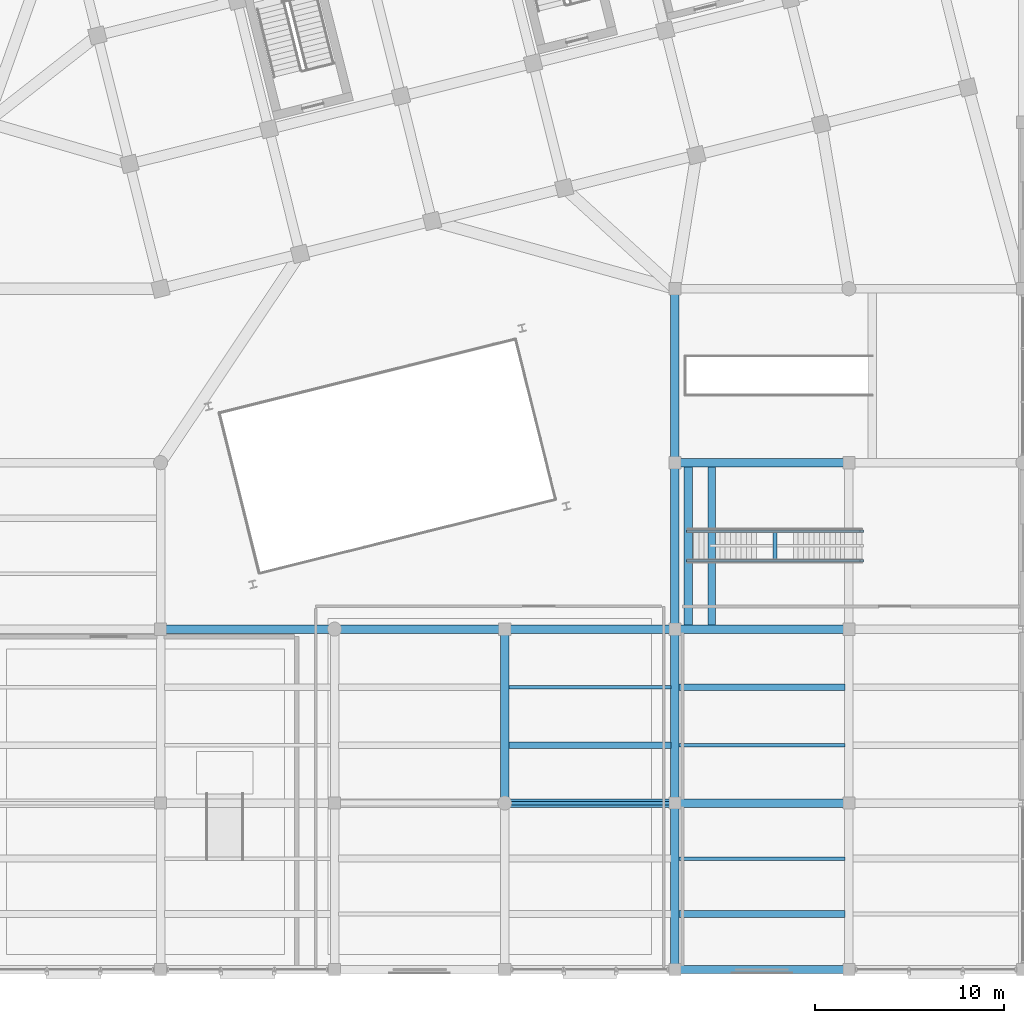
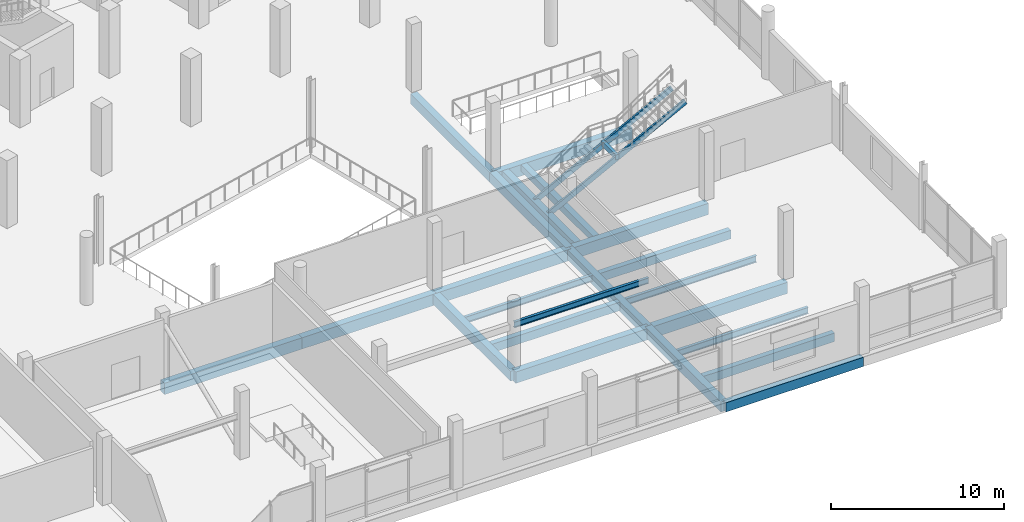
# One storey, part 17 of 71: 23 beams, 2 members.
"""IFC4 building model written with IfcOpenShell, lengths in metres."""

from ifc_helpers import new_model, si_unit, direction, frame, origin, origin_2d, place, context, subcontext, project, spatial, rectangle, i_section, extrude, material, material_profile, profile_set, type_object, element, save


model = new_model("IFC4")

# Units and contexts
model_context = context("Model", 3, precision=1e-05, world=origin(), true_north=direction((0.0, 1.0)))
body_context = subcontext(model_context, "Body", "Model", "MODEL_VIEW")
ifc_project = project(units=[si_unit("LENGTHUNIT", "METRE"), si_unit("AREAUNIT", "SQUARE_METRE"), si_unit("VOLUMEUNIT", "CUBIC_METRE"), si_unit("PLANEANGLEUNIT", "RADIAN"), si_unit("MASSUNIT", "GRAM", prefix="KILO")], contexts=[model_context])

# Site, building, storey
site_placement = place(None, origin())
site = spatial("IfcSite", under=ifc_project, at=site_placement, CompositionType="ELEMENT")
building_placement = place(site_placement, origin())
building = spatial("IfcBuilding", under=site, at=building_placement, Name="Meriwether Solvik Hall", CompositionType="ELEMENT")
storey_placement = place(building_placement, frame((0.0, 0.0, 5.10009765625)))
storey = spatial("IfcBuildingStorey", under=building, at=storey_placement, Name="L01", CompositionType="ELEMENT", Elevation=5.10009765625)

# Beams
ifc_material_1 = material(Name="Glulam Douglas-Fir 24F-V8 GL28h", Category="wood")
ifc_material_profile_1 = material_profile(ifc_material_1, rectangle(XDim=0.221923828125, YDim=0.340087890625, at=origin_2d()), Name="GLB-222X340")
ifc_profile_set_1 = profile_set([ifc_material_profile_1], Name="Glulam Douglas-Fir 24F-V8 GL28h")
beam_type_1 = type_object("IfcBeamType", Name="BM-LND-GL-222X340", PredefinedType="BEAM", material=ifc_profile_set_1)
beam_1_placement = place(storey_placement, frame((101.090087890625, 26.75, 2.054931640625), z_axis=(0.0, 1.0, 0.0), x_axis=(-1.0, 0.0, 0.0)))
element("IfcBeam", 1, at=beam_1_placement, inside=storey, type_object=beam_type_1, Name="Stair ST-AT2 Landing Cross-Bearer", PredefinedType="BEAM", context=body_context, shape_type="SweptSolid", body=[
    extrude(rectangle(XDim=0.221923828125, YDim=0.340087890625, at=origin_2d()), origin(), (0.0, 0.0, 1.0), 1.699951171875),
])
ifc_material_2 = material(Name="Concrete C40/50", Category="concrete")
ifc_material_profile_2 = material_profile(ifc_material_2, rectangle(XDim=0.39990234375, YDim=0.47998046875, at=origin_2d()), Name="RCB-400X480")
ifc_profile_set_2 = profile_set([ifc_material_profile_2], Name="Concrete C40/50")
beam_type_2 = type_object("IfcBeamType", Name="BM-LND-RC-400X480", PredefinedType="BEAM", material=ifc_profile_set_2)
beam_2_placement = place(storey_placement, frame((97.75048828125, 23.4150390625, -0.5400390625), z_axis=(0.0, 1.0, 0.0), x_axis=(-1.0, 0.0, 0.0)))
element("IfcBeam", 2, at=beam_2_placement, inside=storey, type_object=beam_type_2, Name="Stair ST-AT2 Spine Trimmer Beam", PredefinedType="BEAM", context=body_context, shape_type="SweptSolid", body=[
    extrude(rectangle(XDim=0.39990234375, YDim=0.47998046875, at=origin_2d()), origin(), (0.0, 0.0, 1.0), 8.369873046875),
])
ifc_material_3 = material(Name="Concrete C40/50", Category="concrete")
ifc_material_profile_3 = material_profile(ifc_material_3, rectangle(XDim=0.35009765625, YDim=0.60009765625, at=origin_2d()), Name="RCB-350X600")
ifc_profile_set_3 = profile_set([ifc_material_profile_3], Name="Concrete C40/50")
beam_type_3 = type_object("IfcBeamType", Name="BM-RC-350X600", PredefinedType="JOIST", material=ifc_profile_set_3)
beam_3_placement = place(storey_placement, frame((87.02001953125, 17.066650390625, -0.60009765625), z_axis=(1.0, 0.0, 0.0), x_axis=(0.0, 1.0, 0.0)))
element("IfcBeam", 3, at=beam_3_placement, inside=storey, type_object=beam_type_3, Name="Secondary Floor Joist 10/B_J1 (L01)", PredefinedType="JOIST", context=body_context, shape_type="SweptSolid", body=[
    extrude(rectangle(XDim=0.35009765625, YDim=0.60009765625, at=origin_2d()), origin(), (0.0, 0.0, 1.0), 8.56005859375),
])
for number, where, z_axis, x_axis, name in (
    (4, (96.02001953125, 8.13330078125, -0.60009765625), (1.0, 0.0, 0.0), (0.0, 1.0, 0.0), "Secondary Floor Joist 11/A_J1 (L01)"),
    (5, (96.02001953125, 20.13330078125, -0.60009765625), (1.0, 0.0, 0.0), (0.0, 1.0, 0.0), "Secondary Floor Joist 11/B_J2 (L01)"),
):
    element("IfcBeam", number, at=place(storey_placement, frame(where, z_axis=z_axis, x_axis=x_axis)), inside=storey, type_object=beam_type_3, Name=name, PredefinedType="JOIST", context=body_context, shape_type="SweptSolid", body=[
        extrude(rectangle(XDim=0.35009765625, YDim=0.60009765625, at=origin_2d()), origin(), (0.0, 0.0, 1.0), 8.760009765625),
    ])
ifc_material_4 = material(Name="Concrete C40/50", Category="concrete")
ifc_material_profile_4 = material_profile(ifc_material_4, rectangle(XDim=0.39990234375, YDim=0.64990234375, at=origin_2d()), Name="RCB-400X650")
ifc_profile_set_4 = profile_set([ifc_material_profile_4], Name="Concrete C40/50")
beam_type_4 = type_object("IfcBeamType", Name="BM-RC-400X650", PredefinedType="SPANDREL", material=ifc_profile_set_4)
beam_4_placement = place(storey_placement, frame((95.800048828125, 5.199951171875, -0.625), z_axis=(1.0, 0.0, 0.0), x_axis=(0.0, 1.0, 0.0)))
element("IfcBeam", 6, at=beam_4_placement, inside=storey, type_object=beam_type_4, Name="Podium Girder A:11-12 (L01)", PredefinedType="SPANDREL", context=body_context, shape_type="SweptSolid", body=[
    extrude(rectangle(XDim=0.39990234375, YDim=0.64990234375, at=origin_2d()), origin(), (0.0, 0.0, 1.0), 9.199951171875),
])
ifc_material_5 = material(Name="Concrete C40/50", Category="concrete")
ifc_material_profile_5 = material_profile(ifc_material_5, rectangle(XDim=0.449951171875, YDim=0.699951171875, at=origin_2d()), Name="RCB-450X700")
ifc_profile_set_5 = profile_set([ifc_material_profile_5], Name="Concrete C40/50")
beam_type_5 = type_object("IfcBeamType", Name="BM-RC-450X700", PredefinedType="BEAM", material=ifc_profile_set_5)
beam_5_placement = place(storey_placement, frame((86.800048828125, 14.0, -0.650146484375), z_axis=(0.0, 1.0, 0.0), x_axis=(-1.0, 0.0, 0.0)))
element("IfcBeam", 7, at=beam_5_placement, inside=storey, type_object=beam_type_5, Name="Podium Girder 10:B-C (L01)", PredefinedType="BEAM", context=body_context, shape_type="SweptSolid", body=[
    extrude(rectangle(XDim=0.449951171875, YDim=0.699951171875, at=origin_2d()), origin(), (0.0, 0.0, 1.0), 9.199951171875),
])
beam_6_placement = place(storey_placement, frame((95.800048828125, 5.199951171875, -0.650146484375), z_axis=(0.0, 1.0, 0.0), x_axis=(-1.0, 0.0, 0.0)))
element("IfcBeam", 8, at=beam_6_placement, inside=storey, type_object=beam_type_5, Name="Podium Girder 11:A-B (L01)", PredefinedType="BEAM", context=body_context, shape_type="SweptSolid", body=[
    extrude(rectangle(XDim=0.449951171875, YDim=0.699951171875, at=origin_2d()), origin(), (0.0, 0.0, 1.0), 8.800048828125),
])
beam_7_placement = place(storey_placement, frame((95.800048828125, 14.0, -0.650146484375), z_axis=(0.0, 1.0, 0.0), x_axis=(-1.0, 0.0, 0.0)))
element("IfcBeam", 9, at=beam_7_placement, inside=storey, type_object=beam_type_5, Name="Podium Girder 11:B-C (L01)", PredefinedType="BEAM", context=body_context, shape_type="SweptSolid", body=[
    extrude(rectangle(XDim=0.449951171875, YDim=0.699951171875, at=origin_2d()), origin(), (0.0, 0.0, 1.0), 9.199951171875),
])
beam_8_placement = place(storey_placement, frame((95.800048828125, 23.199951171875, -0.650146484375), z_axis=(0.0, 1.0, 0.0), x_axis=(-1.0, 0.0, 0.0)))
element("IfcBeam", 10, at=beam_8_placement, inside=storey, type_object=beam_type_5, Name="Podium Girder 11:C-D (L01)", PredefinedType="BEAM", context=body_context, shape_type="SweptSolid", body=[
    extrude(rectangle(XDim=0.449951171875, YDim=0.699951171875, at=origin_2d()), origin(), (0.0, 0.0, 1.0), 8.800048828125),
])
beam_9_placement = place(storey_placement, frame((95.800048828125, 32.0, -0.650146484375), z_axis=(0.0, 1.0, 0.0), x_axis=(-1.0, 0.0, 0.0)))
element("IfcBeam", 11, at=beam_9_placement, inside=storey, type_object=beam_type_5, Name="Podium Girder 11:D-E (L01)", PredefinedType="BEAM", context=body_context, shape_type="SweptSolid", body=[
    extrude(rectangle(XDim=0.449951171875, YDim=0.699951171875, at=origin_2d()), origin(), (0.0, 0.0, 1.0), 9.199951171875),
])
beam_10_placement = place(storey_placement, frame((96.5, 23.4150390625, -0.650146484375), z_axis=(0.0, 1.0, 0.0), x_axis=(-1.0, 0.0, 0.0)))
element("IfcBeam", 12, at=beam_10_placement, inside=storey, type_object=beam_type_5, Name="Stair ST-AT2 Bottom Trimmer Beam", PredefinedType="BEAM", context=body_context, shape_type="SweptSolid", body=[
    extrude(rectangle(XDim=0.449951171875, YDim=0.699951171875, at=origin_2d()), origin(), (0.0, 0.0, 1.0), 8.369873046875),
])
ifc_material_6 = material(Name="Concrete C40/50", Category="concrete")
ifc_material_profile_6 = material_profile(ifc_material_6, rectangle(XDim=0.449951171875, YDim=0.800048828125, at=origin_2d()), Name="RCB-450X800")
ifc_profile_set_6 = profile_set([ifc_material_profile_6], Name="Concrete C40/50")
beam_type_6 = type_object("IfcBeamType", Name="BM-RC-450X800", PredefinedType="BEAM", material=ifc_profile_set_6)
beam_11_placement = place(storey_placement, frame((86.800048828125, 14.0, -0.7001953125), z_axis=(1.0, 0.0, 0.0), x_axis=(0.0, 1.0, 0.0)))
element("IfcBeam", 13, at=beam_11_placement, inside=storey, type_object=beam_type_6, Name="Podium Girder B:10-11 (L01)", PredefinedType="BEAM", context=body_context, shape_type="SweptSolid", body=[
    extrude(rectangle(XDim=0.449951171875, YDim=0.800048828125, at=origin_2d()), origin(), (0.0, 0.0, 1.0), 9.0),
])
for number, where, z_axis, x_axis, name in (
    (14, (95.800048828125, 14.0, -0.7001953125), (1.0, 0.0, 0.0), (0.0, 1.0, 0.0), "Podium Girder B:11-12 (L01)"),
    (15, (68.60009765625, 23.199951171875, -0.7001953125), (1.0, 0.0, 0.0), (0.0, 1.0, 0.0), "Podium Girder C:8-9 (L01)"),
):
    element("IfcBeam", number, at=place(storey_placement, frame(where, z_axis=z_axis, x_axis=x_axis)), inside=storey, type_object=beam_type_6, Name=name, PredefinedType="BEAM", context=body_context, shape_type="SweptSolid", body=[
        extrude(rectangle(XDim=0.449951171875, YDim=0.800048828125, at=origin_2d()), origin(), (0.0, 0.0, 1.0), 9.199951171875),
    ])
for number, where, z_axis, x_axis, name in (
    (16, (77.800048828125, 23.199951171875, -0.7001953125), (1.0, 0.0, 0.0), (0.0, 1.0, 0.0), "Podium Girder C:9-10 (L01)"),
    (17, (86.800048828125, 23.199951171875, -0.7001953125), (1.0, 0.0, 0.0), (0.0, 1.0, 0.0), "Podium Girder C:10-11 (L01)"),
):
    element("IfcBeam", number, at=place(storey_placement, frame(where, z_axis=z_axis, x_axis=x_axis)), inside=storey, type_object=beam_type_6, Name=name, PredefinedType="BEAM", context=body_context, shape_type="SweptSolid", body=[
        extrude(rectangle(XDim=0.449951171875, YDim=0.800048828125, at=origin_2d()), origin(), (0.0, 0.0, 1.0), 9.0),
    ])
for number, where, z_axis, x_axis, name in (
    (18, (95.800048828125, 23.199951171875, -0.7001953125), (1.0, 0.0, 0.0), (0.0, 1.0, 0.0), "Podium Girder C:11-12 (L01)"),
    (19, (95.800048828125, 32.0, -0.7001953125), (1.0, 0.0, 0.0), (0.0, 1.0, 0.0), "Podium Girder D:11-12 (L01)"),
):
    element("IfcBeam", number, at=place(storey_placement, frame(where, z_axis=z_axis, x_axis=x_axis)), inside=storey, type_object=beam_type_6, Name=name, PredefinedType="BEAM", context=body_context, shape_type="SweptSolid", body=[
        extrude(rectangle(XDim=0.449951171875, YDim=0.800048828125, at=origin_2d()), origin(), (0.0, 0.0, 1.0), 9.199951171875),
    ])
ifc_material_7 = material(Name="Steel A992 Grade 50", Category="steel")
ifc_material_profile_7 = material_profile(ifc_material_7, i_section(OverallWidth=0.177978515625, OverallDepth=0.406982421875, WebThickness=0.0078125, FlangeThickness=0.0126953125, at=origin_2d()), Name="W16X40")
ifc_profile_set_7 = profile_set([ifc_material_profile_7], Name="Steel A992 Grade 50")
beam_type_7 = type_object("IfcBeamType", Name="BM-STL-W16X40", PredefinedType="LINTEL", material=ifc_profile_set_7)
beam_12_placement = place(storey_placement, frame((86.800048828125, 14.0, 2.9462890625), z_axis=(1.0, 0.0, 0.0), x_axis=(0.0, 1.0, 0.0)))
element("IfcBeam", 20, at=beam_12_placement, inside=storey, type_object=beam_type_7, Name="Galleria Portal Lintel B:10-11 (L01)", PredefinedType="LINTEL", context=body_context, shape_type="SweptSolid", body=[
    extrude(i_section(OverallWidth=0.177978515625, OverallDepth=0.406982421875, WebThickness=0.0078125, FlangeThickness=0.0126953125, at=origin_2d()), origin(), (0.0, 0.0, 1.0), 9.0),
])
ifc_material_8 = material(Name="Steel A992 Grade 50", Category="steel")
ifc_material_profile_8 = material_profile(ifc_material_8, i_section(OverallWidth=0.19091796875, OverallDepth=0.45703125, WebThickness=0.009033203125, FlangeThickness=0.014404296875, at=origin_2d()), Name="W18X50")
ifc_profile_set_8 = profile_set([ifc_material_profile_8], Name="Steel A992 Grade 50")
beam_type_8 = type_object("IfcBeamType", Name="BM-STL-W18X50", PredefinedType="JOIST", material=ifc_profile_set_8)
beam_13_placement = place(storey_placement, frame((87.02001953125, 20.13330078125, -0.528564453125), z_axis=(1.0, 0.0, 0.0), x_axis=(0.0, 1.0, 0.0)))
element("IfcBeam", 21, at=beam_13_placement, inside=storey, type_object=beam_type_8, Name="Secondary Floor Joist 10/B_J2 (L01)", PredefinedType="JOIST", context=body_context, shape_type="SweptSolid", body=[
    extrude(i_section(OverallWidth=0.19091796875, OverallDepth=0.45703125, WebThickness=0.009033203125, FlangeThickness=0.014404296875, at=origin_2d()), origin(), (0.0, 0.0, 1.0), 8.56005859375),
])
for number, where, z_axis, x_axis, name in (
    (22, (96.02001953125, 11.066650390625, -0.528564453125), (1.0, 0.0, 0.0), (0.0, 1.0, 0.0), "Secondary Floor Joist 11/A_J2 (L01)"),
    (23, (96.02001953125, 17.066650390625, -0.528564453125), (1.0, 0.0, 0.0), (0.0, 1.0, 0.0), "Secondary Floor Joist 11/B_J1 (L01)"),
):
    element("IfcBeam", number, at=place(storey_placement, frame(where, z_axis=z_axis, x_axis=x_axis)), inside=storey, type_object=beam_type_8, Name=name, PredefinedType="JOIST", context=body_context, shape_type="SweptSolid", body=[
        extrude(i_section(OverallWidth=0.19091796875, OverallDepth=0.45703125, WebThickness=0.009033203125, FlangeThickness=0.014404296875, at=origin_2d()), origin(), (0.0, 0.0, 1.0), 8.760009765625),
    ])

# Members
ifc_material_9 = material(Name="Glulam Douglas-Fir 24F-V8 GL28h", Category="wood")
ifc_material_profile_9 = material_profile(ifc_material_9, rectangle(XDim=0.1298828125, YDim=0.3798828125, at=origin_2d()), Name="GLM-130X380")
ifc_profile_set_9 = profile_set([ifc_material_profile_9], Name="Glulam Douglas-Fir 24F-V8 GL28h")
member_type = type_object("IfcMemberType", Name="MEM-STR-GL130", PredefinedType="STRINGER", material=ifc_profile_set_9)
for number, where, z_axis, x_axis, name in (
    (24, (96.5, 26.820068359375, -0.420166015625), (0.887357018501, 0.0, 0.461082987885), (0.0, 1.0, 0.0), "Stair ST-AT2 Glulam Stringer L"),
    (25, (96.5, 28.3798828125, -0.420166015625), (0.887357018501, 0.0, 0.461082987885), (0.0, 1.0, 0.0), "Stair ST-AT2 Glulam Stringer R"),
):
    element("IfcMember", number, at=place(storey_placement, frame(where, z_axis=z_axis, x_axis=x_axis)), inside=storey, type_object=member_type, Name=name, PredefinedType="STRINGER", context=body_context, shape_type="SweptSolid", body=[
        extrude(rectangle(XDim=0.1298828125, YDim=0.3798828125, at=origin_2d()), origin(), (0.0, 0.0, 1.0), 10.34521484375),
    ])

save(model, "model.ifc")
